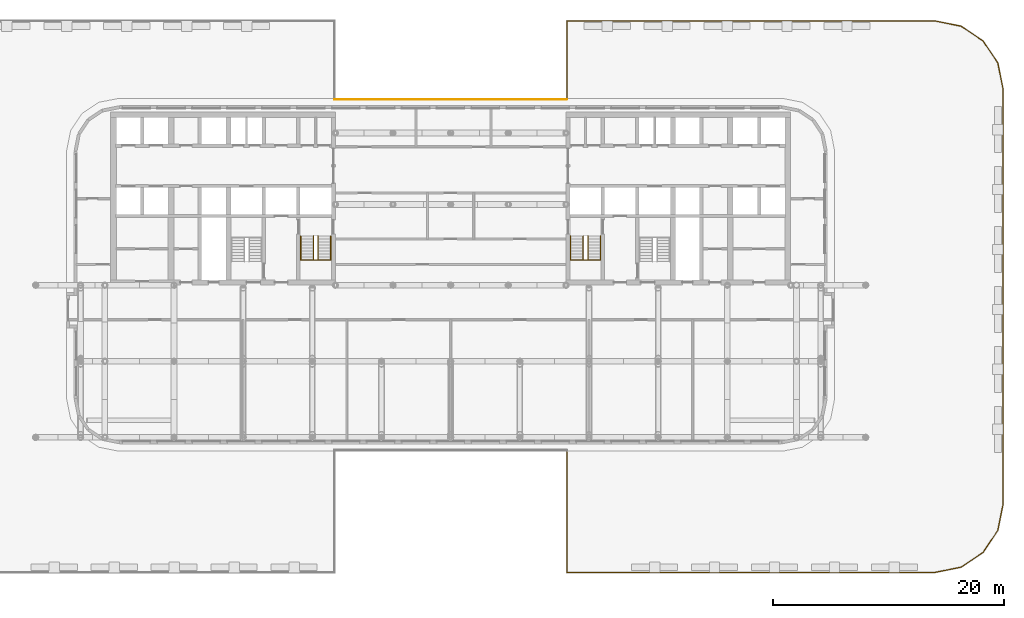
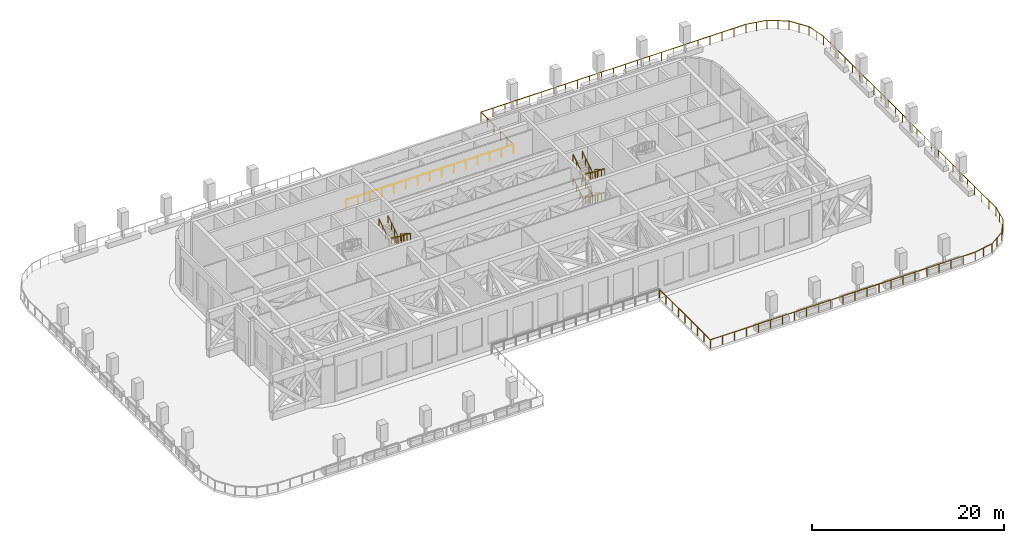
# One storey, part 18 of 20: 8 railings.
"""IFC4 building model written with IfcOpenShell, lengths in metres."""

from ifc_helpers import new_model, si_unit, direction, frame, origin, origin_2d, place, context, subcontext, project, spatial, circle, extrude, material, type_object, element, save


model = new_model("IFC4")

# Units and contexts
model_context = context("Model", 3, precision=1e-05, world=origin(), true_north=direction((0.0, 1.0)))
body_context = subcontext(model_context, "Body", "Model", "MODEL_VIEW")
ifc_project = project(units=[si_unit("LENGTHUNIT", "METRE"), si_unit("AREAUNIT", "SQUARE_METRE"), si_unit("VOLUMEUNIT", "CUBIC_METRE"), si_unit("PLANEANGLEUNIT", "RADIAN"), si_unit("MASSUNIT", "GRAM", prefix="KILO")], contexts=[model_context])

# Site, building, storey
site_placement = place(None, origin())
site = spatial("IfcSite", under=ifc_project, at=site_placement, CompositionType="ELEMENT")
building_placement = place(site_placement, origin())
building = spatial("IfcBuilding", under=site, at=building_placement, Name="Torana Hotel and Residences", CompositionType="ELEMENT")
storey_placement = place(building_placement, frame((0.0, 0.0, 18.0)))
storey = spatial("IfcBuildingStorey", under=building, at=storey_placement, Name="L03", CompositionType="ELEMENT", Elevation=18.0)

# Railings
ifc_material_1 = material(Name="Laminated glass balustrade with black handrail", Category="glass")
railing_type_1 = type_object("IfcRailingType", Name="GR1 BALCONY GUARD 1100 GLASS", PredefinedType="GUARDRAIL", material=ifc_material_1)
railing_1_placement = place(storey_placement, frame((10.080078125, 1.12109375, 0.0)))
element("IfcRailing", 1, at=railing_1_placement, inside=storey, type_object=railing_type_1, Name="Terrace guard L03 2", PredefinedType="GUARDRAIL", context=body_context, shape_type="SweptSolid", body=[
    extrude(circle(Radius=0.02392578125, at=origin_2d()), frame((0.0, 0.0, 1.076171875), z_axis=(0.0, 1.0, 0.0), x_axis=(-1.0, 0.0, 0.0)), (0.0, 0.0, 1.0), 6.798828125),
    extrude(circle(Radius=0.02392578125, at=origin_2d()), frame((0.0, 6.798828125, 1.076171875), z_axis=(1.0, 0.0, 0.0), x_axis=(0.0, 1.0, 0.0)), (0.0, 0.0, 1.0), 31.912109375),
    extrude(circle(Radius=0.02392578125, at=origin_2d()), frame((31.912109375, 6.798828125, 1.076171875), z_axis=(0.980798890488, -0.195021887023, 0.0), x_axis=(0.195021887023, 0.980798890488, 0.0)), (0.0, 0.0, 1.0), 2.317138671875),
    extrude(circle(Radius=0.02392578125, at=origin_2d()), frame((34.184814453125, 6.346923828125, 1.076171875), z_axis=(0.831399124079, -0.555675711617, 0.0), x_axis=(0.555675711617, 0.831399124079, 0.0)), (0.0, 0.0, 1.0), 2.309326171875),
    extrude(circle(Radius=0.02392578125, at=origin_2d()), frame((36.104736328125, 5.063720703125, 1.076171875), z_axis=(0.555675711617, -0.831399124079, 0.0), x_axis=(0.831399124079, 0.555675711617, 0.0)), (0.0, 0.0, 1.0), 2.309326171875),
    extrude(circle(Radius=0.02392578125, at=origin_2d()), frame((37.387939453125, 3.143798828125, 1.076171875), z_axis=(0.195021887023, -0.980798890488, 0.0), x_axis=(0.980798890488, 0.195021887023, 0.0)), (0.0, 0.0, 1.0), 2.317138671875),
    extrude(circle(Radius=0.02392578125, at=origin_2d()), frame((37.83984375, 0.87109375, 1.076171875), z_axis=(0.0, -1.0, 0.0), x_axis=(1.0, 0.0, 0.0)), (0.0, 0.0, 1.0), 35.984375),
    extrude(circle(Radius=0.02392578125, at=origin_2d()), frame((37.83984375, -35.11328125, 1.076171875), z_axis=(-0.195021887023, -0.980798890488, 0.0), x_axis=(0.980798890488, -0.195021887023, 0.0)), (0.0, 0.0, 1.0), 2.317138671875),
    extrude(circle(Radius=0.02392578125, at=origin_2d()), frame((37.387939453125, -37.385986328125, 1.076171875), z_axis=(-0.555675711617, -0.831399124079, 0.0), x_axis=(0.831399124079, -0.555675711617, 0.0)), (0.0, 0.0, 1.0), 2.309326171875),
    extrude(circle(Radius=0.02392578125, at=origin_2d()), frame((36.104736328125, -39.305908203125, 1.076171875), z_axis=(-0.831399124079, -0.555675711617, 0.0), x_axis=(0.555675711617, -0.831399124079, 0.0)), (0.0, 0.0, 1.0), 2.309326171875),
    extrude(circle(Radius=0.02392578125, at=origin_2d()), frame((34.184814453125, -40.589111328125, 1.076171875), z_axis=(-0.980798890488, -0.195021887023, 0.0), x_axis=(0.195021887023, -0.980798890488, 0.0)), (0.0, 0.0, 1.0), 2.317138671875),
    extrude(circle(Radius=0.02392578125, at=origin_2d()), frame((31.912109375, -41.041015625, 1.076171875), z_axis=(-1.0, 0.0, 0.0), x_axis=(0.0, -1.0, 0.0)), (0.0, 0.0, 1.0), 31.912109375),
    extrude(circle(Radius=0.02392578125, at=origin_2d()), frame((0.0, -41.041015625, 1.076171875), z_axis=(0.0, 1.0, 0.0), x_axis=(-1.0, 0.0, 0.0)), (0.0, 0.0, 1.0), 10.598876953125),
    extrude(circle(Radius=0.02099609375, at=origin_2d()), origin(), (0.0, 0.0, 1.0), 1.052001953125),
    extrude(circle(Radius=0.02099609375, at=origin_2d()), frame((0.0, 1.35986328125, 0.0)), (0.0, 0.0, 1.0), 1.052001953125),
    extrude(circle(Radius=0.02099609375, at=origin_2d()), frame((0.0, 2.719482421875, 0.0)), (0.0, 0.0, 1.0), 1.052001953125),
    extrude(circle(Radius=0.02099609375, at=origin_2d()), frame((0.0, 4.079345703125, 0.0)), (0.0, 0.0, 1.0), 1.052001953125),
    extrude(circle(Radius=0.02099609375, at=origin_2d()), frame((0.0, 5.43896484375, 0.0)), (0.0, 0.0, 1.0), 1.052001953125),
    extrude(circle(Radius=0.02099609375, at=origin_2d()), frame((0.0, 6.798828125, 0.0)), (0.0, 0.0, 1.0), 1.052001953125),
    extrude(circle(Radius=0.02099609375, at=origin_2d()), frame((1.450439453125, 6.798828125, 0.0)), (0.0, 0.0, 1.0), 1.052001953125),
    extrude(circle(Radius=0.02099609375, at=origin_2d()), frame((2.901123046875, 6.798828125, 0.0)), (0.0, 0.0, 1.0), 1.052001953125),
    extrude(circle(Radius=0.02099609375, at=origin_2d()), frame((4.3515625, 6.798828125, 0.0)), (0.0, 0.0, 1.0), 1.052001953125),
    extrude(circle(Radius=0.02099609375, at=origin_2d()), frame((5.80224609375, 6.798828125, 0.0)), (0.0, 0.0, 1.0), 1.052001953125),
    extrude(circle(Radius=0.02099609375, at=origin_2d()), frame((7.252685546875, 6.798828125, 0.0)), (0.0, 0.0, 1.0), 1.052001953125),
    extrude(circle(Radius=0.02099609375, at=origin_2d()), frame((8.703369140625, 6.798828125, 0.0)), (0.0, 0.0, 1.0), 1.052001953125),
    extrude(circle(Radius=0.02099609375, at=origin_2d()), frame((10.15380859375, 6.798828125, 0.0)), (0.0, 0.0, 1.0), 1.052001953125),
    extrude(circle(Radius=0.02099609375, at=origin_2d()), frame((11.6044921875, 6.798828125, 0.0)), (0.0, 0.0, 1.0), 1.052001953125),
    extrude(circle(Radius=0.02099609375, at=origin_2d()), frame((13.054931640625, 6.798828125, 0.0)), (0.0, 0.0, 1.0), 1.052001953125),
    extrude(circle(Radius=0.02099609375, at=origin_2d()), frame((14.505615234375, 6.798828125, 0.0)), (0.0, 0.0, 1.0), 1.052001953125),
    extrude(circle(Radius=0.02099609375, at=origin_2d()), frame((15.9560546875, 6.798828125, 0.0)), (0.0, 0.0, 1.0), 1.052001953125),
    extrude(circle(Radius=0.02099609375, at=origin_2d()), frame((17.406494140625, 6.798828125, 0.0)), (0.0, 0.0, 1.0), 1.052001953125),
    extrude(circle(Radius=0.02099609375, at=origin_2d()), frame((18.857177734375, 6.798828125, 0.0)), (0.0, 0.0, 1.0), 1.052001953125),
    extrude(circle(Radius=0.02099609375, at=origin_2d()), frame((20.3076171875, 6.798828125, 0.0)), (0.0, 0.0, 1.0), 1.052001953125),
    extrude(circle(Radius=0.02099609375, at=origin_2d()), frame((21.75830078125, 6.798828125, 0.0)), (0.0, 0.0, 1.0), 1.052001953125),
    extrude(circle(Radius=0.02099609375, at=origin_2d()), frame((23.208740234375, 6.798828125, 0.0)), (0.0, 0.0, 1.0), 1.052001953125),
    extrude(circle(Radius=0.02099609375, at=origin_2d()), frame((24.659423828125, 6.798828125, 0.0)), (0.0, 0.0, 1.0), 1.052001953125),
    extrude(circle(Radius=0.02099609375, at=origin_2d()), frame((26.10986328125, 6.798828125, 0.0)), (0.0, 0.0, 1.0), 1.052001953125),
    extrude(circle(Radius=0.02099609375, at=origin_2d()), frame((27.560546875, 6.798828125, 0.0)), (0.0, 0.0, 1.0), 1.052001953125),
    extrude(circle(Radius=0.02099609375, at=origin_2d()), frame((29.010986328125, 6.798828125, 0.0)), (0.0, 0.0, 1.0), 1.052001953125),
    extrude(circle(Radius=0.02099609375, at=origin_2d()), frame((30.461669921875, 6.798828125, 0.0)), (0.0, 0.0, 1.0), 1.052001953125),
    extrude(circle(Radius=0.02099609375, at=origin_2d()), frame((31.912109375, 6.798828125, 0.0)), (0.0, 0.0, 1.0), 1.052001953125),
    extrude(circle(Radius=0.02099609375, at=origin_2d()), frame((33.04833984375, 6.57275390625, 0.0)), (0.0, 0.0, 1.0), 1.052001953125),
    extrude(circle(Radius=0.02099609375, at=origin_2d()), frame((34.184814453125, 6.346923828125, 0.0)), (0.0, 0.0, 1.0), 1.052001953125),
    extrude(circle(Radius=0.02099609375, at=origin_2d()), frame((35.144775390625, 5.705322265625, 0.0)), (0.0, 0.0, 1.0), 1.052001953125),
    extrude(circle(Radius=0.02099609375, at=origin_2d()), frame((36.104736328125, 5.063720703125, 0.0)), (0.0, 0.0, 1.0), 1.052001953125),
    extrude(circle(Radius=0.02099609375, at=origin_2d()), frame((36.746337890625, 4.103759765625, 0.0)), (0.0, 0.0, 1.0), 1.052001953125),
    extrude(circle(Radius=0.02099609375, at=origin_2d()), frame((37.387939453125, 3.143798828125, 0.0)), (0.0, 0.0, 1.0), 1.052001953125),
    extrude(circle(Radius=0.02099609375, at=origin_2d()), frame((37.61376953125, 2.00732421875, 0.0)), (0.0, 0.0, 1.0), 1.052001953125),
    extrude(circle(Radius=0.02099609375, at=origin_2d()), frame((37.83984375, 0.87109375, 0.0)), (0.0, 0.0, 1.0), 1.052001953125),
    extrude(circle(Radius=0.02099609375, at=origin_2d()), frame((37.83984375, -0.628173828125, 0.0)), (0.0, 0.0, 1.0), 1.052001953125),
    extrude(circle(Radius=0.02099609375, at=origin_2d()), frame((37.83984375, -2.127685546875, 0.0)), (0.0, 0.0, 1.0), 1.052001953125),
    extrude(circle(Radius=0.02099609375, at=origin_2d()), frame((37.83984375, -3.626953125, 0.0)), (0.0, 0.0, 1.0), 1.052001953125),
    extrude(circle(Radius=0.02099609375, at=origin_2d()), frame((37.83984375, -5.126220703125, 0.0)), (0.0, 0.0, 1.0), 1.052001953125),
    extrude(circle(Radius=0.02099609375, at=origin_2d()), frame((37.83984375, -6.625732421875, 0.0)), (0.0, 0.0, 1.0), 1.052001953125),
    extrude(circle(Radius=0.02099609375, at=origin_2d()), frame((37.83984375, -8.125, 0.0)), (0.0, 0.0, 1.0), 1.052001953125),
    extrude(circle(Radius=0.02099609375, at=origin_2d()), frame((37.83984375, -9.624267578125, 0.0)), (0.0, 0.0, 1.0), 1.052001953125),
    extrude(circle(Radius=0.02099609375, at=origin_2d()), frame((37.83984375, -11.123779296875, 0.0)), (0.0, 0.0, 1.0), 1.052001953125),
    extrude(circle(Radius=0.02099609375, at=origin_2d()), frame((37.83984375, -12.623046875, 0.0)), (0.0, 0.0, 1.0), 1.052001953125),
    extrude(circle(Radius=0.02099609375, at=origin_2d()), frame((37.83984375, -14.122314453125, 0.0)), (0.0, 0.0, 1.0), 1.052001953125),
    extrude(circle(Radius=0.02099609375, at=origin_2d()), frame((37.83984375, -15.621826171875, 0.0)), (0.0, 0.0, 1.0), 1.052001953125),
    extrude(circle(Radius=0.02099609375, at=origin_2d()), frame((37.83984375, -17.12109375, 0.0)), (0.0, 0.0, 1.0), 1.052001953125),
    extrude(circle(Radius=0.02099609375, at=origin_2d()), frame((37.83984375, -18.620361328125, 0.0)), (0.0, 0.0, 1.0), 1.052001953125),
    extrude(circle(Radius=0.02099609375, at=origin_2d()), frame((37.83984375, -20.119873046875, 0.0)), (0.0, 0.0, 1.0), 1.052001953125),
    extrude(circle(Radius=0.02099609375, at=origin_2d()), frame((37.83984375, -21.619140625, 0.0)), (0.0, 0.0, 1.0), 1.052001953125),
    extrude(circle(Radius=0.02099609375, at=origin_2d()), frame((37.83984375, -23.118408203125, 0.0)), (0.0, 0.0, 1.0), 1.052001953125),
    extrude(circle(Radius=0.02099609375, at=origin_2d()), frame((37.83984375, -24.617919921875, 0.0)), (0.0, 0.0, 1.0), 1.052001953125),
    extrude(circle(Radius=0.02099609375, at=origin_2d()), frame((37.83984375, -26.1171875, 0.0)), (0.0, 0.0, 1.0), 1.052001953125),
    extrude(circle(Radius=0.02099609375, at=origin_2d()), frame((37.83984375, -27.616455078125, 0.0)), (0.0, 0.0, 1.0), 1.052001953125),
    extrude(circle(Radius=0.02099609375, at=origin_2d()), frame((37.83984375, -29.115966796875, 0.0)), (0.0, 0.0, 1.0), 1.052001953125),
    extrude(circle(Radius=0.02099609375, at=origin_2d()), frame((37.83984375, -30.615234375, 0.0)), (0.0, 0.0, 1.0), 1.052001953125),
    extrude(circle(Radius=0.02099609375, at=origin_2d()), frame((37.83984375, -32.114501953125, 0.0)), (0.0, 0.0, 1.0), 1.052001953125),
    extrude(circle(Radius=0.02099609375, at=origin_2d()), frame((37.83984375, -33.614013671875, 0.0)), (0.0, 0.0, 1.0), 1.052001953125),
    extrude(circle(Radius=0.02099609375, at=origin_2d()), frame((37.83984375, -35.11328125, 0.0)), (0.0, 0.0, 1.0), 1.052001953125),
    extrude(circle(Radius=0.02099609375, at=origin_2d()), frame((37.61376953125, -36.24951171875, 0.0)), (0.0, 0.0, 1.0), 1.052001953125),
    extrude(circle(Radius=0.02099609375, at=origin_2d()), frame((37.387939453125, -37.385986328125, 0.0)), (0.0, 0.0, 1.0), 1.052001953125),
    extrude(circle(Radius=0.02099609375, at=origin_2d()), frame((36.746337890625, -38.345947265625, 0.0)), (0.0, 0.0, 1.0), 1.052001953125),
    extrude(circle(Radius=0.02099609375, at=origin_2d()), frame((36.104736328125, -39.305908203125, 0.0)), (0.0, 0.0, 1.0), 1.052001953125),
    extrude(circle(Radius=0.02099609375, at=origin_2d()), frame((35.144775390625, -39.947509765625, 0.0)), (0.0, 0.0, 1.0), 1.052001953125),
    extrude(circle(Radius=0.02099609375, at=origin_2d()), frame((34.184814453125, -40.589111328125, 0.0)), (0.0, 0.0, 1.0), 1.052001953125),
    extrude(circle(Radius=0.02099609375, at=origin_2d()), frame((33.04833984375, -40.81494140625, 0.0)), (0.0, 0.0, 1.0), 1.052001953125),
    extrude(circle(Radius=0.02099609375, at=origin_2d()), frame((31.912109375, -41.041015625, 0.0)), (0.0, 0.0, 1.0), 1.052001953125),
    extrude(circle(Radius=0.02099609375, at=origin_2d()), frame((30.461669921875, -41.041015625, 0.0)), (0.0, 0.0, 1.0), 1.052001953125),
    extrude(circle(Radius=0.02099609375, at=origin_2d()), frame((29.010986328125, -41.041015625, 0.0)), (0.0, 0.0, 1.0), 1.052001953125),
    extrude(circle(Radius=0.02099609375, at=origin_2d()), frame((27.560546875, -41.041015625, 0.0)), (0.0, 0.0, 1.0), 1.052001953125),
    extrude(circle(Radius=0.02099609375, at=origin_2d()), frame((26.10986328125, -41.041015625, 0.0)), (0.0, 0.0, 1.0), 1.052001953125),
    extrude(circle(Radius=0.02099609375, at=origin_2d()), frame((24.659423828125, -41.041015625, 0.0)), (0.0, 0.0, 1.0), 1.052001953125),
    extrude(circle(Radius=0.02099609375, at=origin_2d()), frame((23.208740234375, -41.041015625, 0.0)), (0.0, 0.0, 1.0), 1.052001953125),
    extrude(circle(Radius=0.02099609375, at=origin_2d()), frame((21.75830078125, -41.041015625, 0.0)), (0.0, 0.0, 1.0), 1.052001953125),
    extrude(circle(Radius=0.02099609375, at=origin_2d()), frame((20.3076171875, -41.041015625, 0.0)), (0.0, 0.0, 1.0), 1.052001953125),
    extrude(circle(Radius=0.02099609375, at=origin_2d()), frame((18.857177734375, -41.041015625, 0.0)), (0.0, 0.0, 1.0), 1.052001953125),
    extrude(circle(Radius=0.02099609375, at=origin_2d()), frame((17.406494140625, -41.041015625, 0.0)), (0.0, 0.0, 1.0), 1.052001953125),
    extrude(circle(Radius=0.02099609375, at=origin_2d()), frame((15.9560546875, -41.041015625, 0.0)), (0.0, 0.0, 1.0), 1.052001953125),
    extrude(circle(Radius=0.02099609375, at=origin_2d()), frame((14.505615234375, -41.041015625, 0.0)), (0.0, 0.0, 1.0), 1.052001953125),
    extrude(circle(Radius=0.02099609375, at=origin_2d()), frame((13.054931640625, -41.041015625, 0.0)), (0.0, 0.0, 1.0), 1.052001953125),
    extrude(circle(Radius=0.02099609375, at=origin_2d()), frame((11.6044921875, -41.041015625, 0.0)), (0.0, 0.0, 1.0), 1.052001953125),
    extrude(circle(Radius=0.02099609375, at=origin_2d()), frame((10.15380859375, -41.041015625, 0.0)), (0.0, 0.0, 1.0), 1.052001953125),
    extrude(circle(Radius=0.02099609375, at=origin_2d()), frame((8.703369140625, -41.041015625, 0.0)), (0.0, 0.0, 1.0), 1.052001953125),
    extrude(circle(Radius=0.02099609375, at=origin_2d()), frame((7.252685546875, -41.041015625, 0.0)), (0.0, 0.0, 1.0), 1.052001953125),
    extrude(circle(Radius=0.02099609375, at=origin_2d()), frame((5.80224609375, -41.041015625, 0.0)), (0.0, 0.0, 1.0), 1.052001953125),
    extrude(circle(Radius=0.02099609375, at=origin_2d()), frame((4.3515625, -41.041015625, 0.0)), (0.0, 0.0, 1.0), 1.052001953125),
    extrude(circle(Radius=0.02099609375, at=origin_2d()), frame((2.901123046875, -41.041015625, 0.0)), (0.0, 0.0, 1.0), 1.052001953125),
    extrude(circle(Radius=0.02099609375, at=origin_2d()), frame((1.450439453125, -41.041015625, 0.0)), (0.0, 0.0, 1.0), 1.052001953125),
    extrude(circle(Radius=0.02099609375, at=origin_2d()), frame((0.0, -41.041015625, 0.0)), (0.0, 0.0, 1.0), 1.052001953125),
    extrude(circle(Radius=0.02099609375, at=origin_2d()), frame((0.0, -39.716064453125, 0.0)), (0.0, 0.0, 1.0), 1.052001953125),
    extrude(circle(Radius=0.02099609375, at=origin_2d()), frame((0.0, -38.391357421875, 0.0)), (0.0, 0.0, 1.0), 1.052001953125),
    extrude(circle(Radius=0.02099609375, at=origin_2d()), frame((0.0, -37.06640625, 0.0)), (0.0, 0.0, 1.0), 1.052001953125),
    extrude(circle(Radius=0.02099609375, at=origin_2d()), frame((0.0, -35.74169921875, 0.0)), (0.0, 0.0, 1.0), 1.052001953125),
    extrude(circle(Radius=0.02099609375, at=origin_2d()), frame((0.0, -34.416748046875, 0.0)), (0.0, 0.0, 1.0), 1.052001953125),
    extrude(circle(Radius=0.02099609375, at=origin_2d()), frame((0.0, -33.091796875, 0.0)), (0.0, 0.0, 1.0), 1.052001953125),
    extrude(circle(Radius=0.02099609375, at=origin_2d()), frame((0.0, -31.76708984375, 0.0)), (0.0, 0.0, 1.0), 1.052001953125),
    extrude(circle(Radius=0.02099609375, at=origin_2d()), frame((0.0, -30.442138671875, 0.0)), (0.0, 0.0, 1.0), 1.052001953125),
])
railing_2_placement = place(storey_placement, frame((-10.080078125, 1.12109375, 0.0)))
element("IfcRailing", 2, at=railing_2_placement, inside=storey, type_object=railing_type_1, Name="Ledge guard L03 1", PredefinedType="GUARDRAIL", context=body_context, shape_type="SweptSolid", body=[
    extrude(circle(Radius=0.02392578125, at=origin_2d()), frame((0.0, 0.0, 1.076171875), z_axis=(1.0, 0.0, 0.0), x_axis=(0.0, 1.0, 0.0)), (0.0, 0.0, 1.0), 20.16015625),
    extrude(circle(Radius=0.02099609375, at=origin_2d()), origin(), (0.0, 0.0, 1.0), 1.052001953125),
    extrude(circle(Radius=0.02099609375, at=origin_2d()), frame((1.43994140625, 0.0, 0.0)), (0.0, 0.0, 1.0), 1.052001953125),
    extrude(circle(Radius=0.02099609375, at=origin_2d()), frame((2.880126953125, 0.0, 0.0)), (0.0, 0.0, 1.0), 1.052001953125),
    extrude(circle(Radius=0.02099609375, at=origin_2d()), frame((4.320068359375, 0.0, 0.0)), (0.0, 0.0, 1.0), 1.052001953125),
    extrude(circle(Radius=0.02099609375, at=origin_2d()), frame((5.760009765625, 0.0, 0.0)), (0.0, 0.0, 1.0), 1.052001953125),
    extrude(circle(Radius=0.02099609375, at=origin_2d()), frame((7.199951171875, 0.0, 0.0)), (0.0, 0.0, 1.0), 1.052001953125),
    extrude(circle(Radius=0.02099609375, at=origin_2d()), frame((8.64013671875, 0.0, 0.0)), (0.0, 0.0, 1.0), 1.052001953125),
    extrude(circle(Radius=0.02099609375, at=origin_2d()), frame((10.080078125, 0.0, 0.0)), (0.0, 0.0, 1.0), 1.052001953125),
    extrude(circle(Radius=0.02099609375, at=origin_2d()), frame((11.52001953125, 0.0, 0.0)), (0.0, 0.0, 1.0), 1.052001953125),
    extrude(circle(Radius=0.02099609375, at=origin_2d()), frame((12.960205078125, 0.0, 0.0)), (0.0, 0.0, 1.0), 1.052001953125),
    extrude(circle(Radius=0.02099609375, at=origin_2d()), frame((14.400146484375, 0.0, 0.0)), (0.0, 0.0, 1.0), 1.052001953125),
    extrude(circle(Radius=0.02099609375, at=origin_2d()), frame((15.840087890625, 0.0, 0.0)), (0.0, 0.0, 1.0), 1.052001953125),
    extrude(circle(Radius=0.02099609375, at=origin_2d()), frame((17.280029296875, 0.0, 0.0)), (0.0, 0.0, 1.0), 1.052001953125),
    extrude(circle(Radius=0.02099609375, at=origin_2d()), frame((18.72021484375, 0.0, 0.0)), (0.0, 0.0, 1.0), 1.052001953125),
    extrude(circle(Radius=0.02099609375, at=origin_2d()), frame((20.16015625, 0.0, 0.0)), (0.0, 0.0, 1.0), 1.052001953125),
])
ifc_material_2 = material(Name="Stainless steel 316", Category="steel")
railing_type_2 = type_object("IfcRailingType", Name="STAIR HANDRAIL HR1 900", PredefinedType="HANDRAIL", material=ifc_material_2)
railing_3_placement = place(storey_placement, frame((-10.39990234375, -10.75, 3.166748046875)))
element("IfcRailing", 3, at=railing_3_placement, inside=storey, type_object=railing_type_2, Name="Handrail ST1 L03 O2", PredefinedType="HANDRAIL", context=body_context, shape_type="SweptSolid", body=[
    extrude(circle(Radius=0.02392578125, at=origin_2d()), frame((0.0, 0.0, 0.8759765625), z_axis=(0.0, -0.841903312325, 0.539628402418), x_axis=(1.0, 0.0, 0.0)), (0.0, 0.0, 1.0), 2.470703125),
    extrude(circle(Radius=0.02392578125, at=origin_2d()), frame((0.0, -2.080078125, 2.208984375), z_axis=(-0.997949899857, 0.0, 0.063999979493), x_axis=(0.0, -1.0, 0.0)), (0.0, 0.0, 1.0), 2.60546875),
    extrude(circle(Radius=0.02392578125, at=origin_2d()), frame((-2.60009765625, -2.080078125, 2.3759765625), z_axis=(0.0, 0.841903312325, 0.539628402418), x_axis=(-1.0, 0.0, 0.0)), (0.0, 0.0, 1.0), 2.470703125),
    extrude(circle(Radius=0.02099609375, at=origin_2d()), origin(), (0.0, 0.0, 1.0), 0.851806640625),
    extrude(circle(Radius=0.02099609375, at=origin_2d()), frame((0.0, -0.693359375, 0.4443359375)), (0.0, 0.0, 1.0), 0.851806640625),
    extrude(circle(Radius=0.02099609375, at=origin_2d()), frame((0.0, -1.38671875, 0.888916015625)), (0.0, 0.0, 1.0), 0.851806640625),
    extrude(circle(Radius=0.02099609375, at=origin_2d()), frame((0.0, -2.080078125, 1.333251953125)), (0.0, 0.0, 1.0), 0.851806640625),
    extrude(circle(Radius=0.02099609375, at=origin_2d()), frame((-0.86669921875, -2.080078125, 1.388916015625)), (0.0, 0.0, 1.0), 0.851806640625),
    extrude(circle(Radius=0.02099609375, at=origin_2d()), frame((-1.7333984375, -2.080078125, 1.4443359375)), (0.0, 0.0, 1.0), 0.851806640625),
    extrude(circle(Radius=0.02099609375, at=origin_2d()), frame((-2.60009765625, -2.080078125, 1.5)), (0.0, 0.0, 1.0), 0.851806640625),
    extrude(circle(Radius=0.02099609375, at=origin_2d()), frame((-2.60009765625, -1.38671875, 1.9443359375)), (0.0, 0.0, 1.0), 0.851806640625),
    extrude(circle(Radius=0.02099609375, at=origin_2d()), frame((-2.60009765625, -0.693359375, 2.388916015625)), (0.0, 0.0, 1.0), 0.851806640625),
    extrude(circle(Radius=0.02099609375, at=origin_2d()), frame((-2.60009765625, 0.0, 2.833251953125)), (0.0, 0.0, 1.0), 0.851806640625),
])
railing_4_placement = place(storey_placement, frame((-11.5, -10.75, 3.166748046875)))
element("IfcRailing", 4, at=railing_4_placement, inside=storey, type_object=railing_type_2, Name="Handrail ST1 L03 I2", PredefinedType="HANDRAIL", context=body_context, shape_type="SweptSolid", body=[
    extrude(circle(Radius=0.02392578125, at=origin_2d()), frame((0.0, 0.0, 0.8759765625), z_axis=(0.0, -0.841903312325, 0.539628402418), x_axis=(1.0, 0.0, 0.0)), (0.0, 0.0, 1.0), 2.470703125),
    extrude(circle(Radius=0.02392578125, at=origin_2d()), frame((0.0, -2.080078125, 2.208984375), z_axis=(-0.922976866191, 0.0, 0.384855433216), x_axis=(0.0, -1.0, 0.0)), (0.0, 0.0, 1.0), 0.433349609375),
    extrude(circle(Radius=0.02392578125, at=origin_2d()), frame((-0.39990234375, -2.080078125, 2.3759765625), z_axis=(0.0, 0.841903312325, 0.539628402418), x_axis=(-1.0, 0.0, 0.0)), (0.0, 0.0, 1.0), 2.470703125),
    extrude(circle(Radius=0.02099609375, at=origin_2d()), origin(), (0.0, 0.0, 1.0), 0.851806640625),
    extrude(circle(Radius=0.02099609375, at=origin_2d()), frame((0.0, -0.693359375, 0.4443359375)), (0.0, 0.0, 1.0), 0.851806640625),
    extrude(circle(Radius=0.02099609375, at=origin_2d()), frame((0.0, -1.38671875, 0.888916015625)), (0.0, 0.0, 1.0), 0.851806640625),
    extrude(circle(Radius=0.02099609375, at=origin_2d()), frame((0.0, -2.080078125, 1.333251953125)), (0.0, 0.0, 1.0), 0.851806640625),
    extrude(circle(Radius=0.02099609375, at=origin_2d()), frame((-0.39990234375, -2.080078125, 1.5)), (0.0, 0.0, 1.0), 0.851806640625),
    extrude(circle(Radius=0.02099609375, at=origin_2d()), frame((-0.39990234375, -1.38671875, 1.9443359375)), (0.0, 0.0, 1.0), 0.851806640625),
    extrude(circle(Radius=0.02099609375, at=origin_2d()), frame((-0.39990234375, -0.693359375, 2.388916015625)), (0.0, 0.0, 1.0), 0.851806640625),
    extrude(circle(Radius=0.02099609375, at=origin_2d()), frame((-0.39990234375, 0.0, 2.833251953125)), (0.0, 0.0, 1.0), 0.851806640625),
])
railing_5_placement = place(storey_placement, frame((13.0, -10.75, 0.166748046875)))
element("IfcRailing", 5, at=railing_5_placement, inside=storey, type_object=railing_type_2, Name="Handrail ST3 L03 O1", PredefinedType="HANDRAIL", context=body_context, shape_type="SweptSolid", body=[
    extrude(circle(Radius=0.02392578125, at=origin_2d()), frame((0.0, 0.0, 0.8759765625), z_axis=(0.0, -0.841903312325, 0.539628402418), x_axis=(1.0, 0.0, 0.0)), (0.0, 0.0, 1.0), 2.470703125),
    extrude(circle(Radius=0.02392578125, at=origin_2d()), frame((0.0, -2.080078125, 2.208984375), z_axis=(-0.997949899857, 0.0, 0.063999979493), x_axis=(0.0, -1.0, 0.0)), (0.0, 0.0, 1.0), 2.60546875),
    extrude(circle(Radius=0.02392578125, at=origin_2d()), frame((-2.60009765625, -2.080078125, 2.3759765625), z_axis=(0.0, 0.841903312325, 0.539628402418), x_axis=(-1.0, 0.0, 0.0)), (0.0, 0.0, 1.0), 2.470703125),
    extrude(circle(Radius=0.02099609375, at=origin_2d()), origin(), (0.0, 0.0, 1.0), 0.851806640625),
    extrude(circle(Radius=0.02099609375, at=origin_2d()), frame((0.0, -0.693359375, 0.4443359375)), (0.0, 0.0, 1.0), 0.851806640625),
    extrude(circle(Radius=0.02099609375, at=origin_2d()), frame((0.0, -1.38671875, 0.888916015625)), (0.0, 0.0, 1.0), 0.851806640625),
    extrude(circle(Radius=0.02099609375, at=origin_2d()), frame((0.0, -2.080078125, 1.333251953125)), (0.0, 0.0, 1.0), 0.851806640625),
    extrude(circle(Radius=0.02099609375, at=origin_2d()), frame((-0.86669921875, -2.080078125, 1.388916015625)), (0.0, 0.0, 1.0), 0.851806640625),
    extrude(circle(Radius=0.02099609375, at=origin_2d()), frame((-1.7333984375, -2.080078125, 1.4443359375)), (0.0, 0.0, 1.0), 0.851806640625),
    extrude(circle(Radius=0.02099609375, at=origin_2d()), frame((-2.60009765625, -2.080078125, 1.5)), (0.0, 0.0, 1.0), 0.851806640625),
    extrude(circle(Radius=0.02099609375, at=origin_2d()), frame((-2.60009765625, -1.38671875, 1.9443359375)), (0.0, 0.0, 1.0), 0.851806640625),
    extrude(circle(Radius=0.02099609375, at=origin_2d()), frame((-2.60009765625, -0.693359375, 2.388916015625)), (0.0, 0.0, 1.0), 0.851806640625),
    extrude(circle(Radius=0.02099609375, at=origin_2d()), frame((-2.60009765625, 0.0, 2.833251953125)), (0.0, 0.0, 1.0), 0.851806640625),
])
railing_6_placement = place(storey_placement, frame((11.89990234375, -10.75, 0.166748046875)))
element("IfcRailing", 6, at=railing_6_placement, inside=storey, type_object=railing_type_2, Name="Handrail ST3 L03 I1", PredefinedType="HANDRAIL", context=body_context, shape_type="SweptSolid", body=[
    extrude(circle(Radius=0.02392578125, at=origin_2d()), frame((0.0, 0.0, 0.8759765625), z_axis=(0.0, -0.841903312325, 0.539628402418), x_axis=(1.0, 0.0, 0.0)), (0.0, 0.0, 1.0), 2.470703125),
    extrude(circle(Radius=0.02392578125, at=origin_2d()), frame((0.0, -2.080078125, 2.208984375), z_axis=(-0.922976866191, 0.0, 0.384855433216), x_axis=(0.0, -1.0, 0.0)), (0.0, 0.0, 1.0), 0.433349609375),
    extrude(circle(Radius=0.02392578125, at=origin_2d()), frame((-0.39990234375, -2.080078125, 2.3759765625), z_axis=(0.0, 0.841903312325, 0.539628402418), x_axis=(-1.0, 0.0, 0.0)), (0.0, 0.0, 1.0), 2.470703125),
    extrude(circle(Radius=0.02099609375, at=origin_2d()), origin(), (0.0, 0.0, 1.0), 0.851806640625),
    extrude(circle(Radius=0.02099609375, at=origin_2d()), frame((0.0, -0.693359375, 0.4443359375)), (0.0, 0.0, 1.0), 0.851806640625),
    extrude(circle(Radius=0.02099609375, at=origin_2d()), frame((0.0, -1.38671875, 0.888916015625)), (0.0, 0.0, 1.0), 0.851806640625),
    extrude(circle(Radius=0.02099609375, at=origin_2d()), frame((0.0, -2.080078125, 1.333251953125)), (0.0, 0.0, 1.0), 0.851806640625),
    extrude(circle(Radius=0.02099609375, at=origin_2d()), frame((-0.39990234375, -2.080078125, 1.5)), (0.0, 0.0, 1.0), 0.851806640625),
    extrude(circle(Radius=0.02099609375, at=origin_2d()), frame((-0.39990234375, -1.38671875, 1.9443359375)), (0.0, 0.0, 1.0), 0.851806640625),
    extrude(circle(Radius=0.02099609375, at=origin_2d()), frame((-0.39990234375, -0.693359375, 2.388916015625)), (0.0, 0.0, 1.0), 0.851806640625),
    extrude(circle(Radius=0.02099609375, at=origin_2d()), frame((-0.39990234375, 0.0, 2.833251953125)), (0.0, 0.0, 1.0), 0.851806640625),
])
railing_7_placement = place(storey_placement, frame((13.0, -10.75, 3.166748046875)))
element("IfcRailing", 7, at=railing_7_placement, inside=storey, type_object=railing_type_2, Name="Handrail ST3 L03 O2", PredefinedType="HANDRAIL", context=body_context, shape_type="SweptSolid", body=[
    extrude(circle(Radius=0.02392578125, at=origin_2d()), frame((0.0, 0.0, 0.8759765625), z_axis=(0.0, -0.841903312325, 0.539628402418), x_axis=(1.0, 0.0, 0.0)), (0.0, 0.0, 1.0), 2.470703125),
    extrude(circle(Radius=0.02392578125, at=origin_2d()), frame((0.0, -2.080078125, 2.208984375), z_axis=(-0.997949899857, 0.0, 0.063999979493), x_axis=(0.0, -1.0, 0.0)), (0.0, 0.0, 1.0), 2.60546875),
    extrude(circle(Radius=0.02392578125, at=origin_2d()), frame((-2.60009765625, -2.080078125, 2.3759765625), z_axis=(0.0, 0.841903312325, 0.539628402418), x_axis=(-1.0, 0.0, 0.0)), (0.0, 0.0, 1.0), 2.470703125),
    extrude(circle(Radius=0.02099609375, at=origin_2d()), origin(), (0.0, 0.0, 1.0), 0.851806640625),
    extrude(circle(Radius=0.02099609375, at=origin_2d()), frame((0.0, -0.693359375, 0.4443359375)), (0.0, 0.0, 1.0), 0.851806640625),
    extrude(circle(Radius=0.02099609375, at=origin_2d()), frame((0.0, -1.38671875, 0.888916015625)), (0.0, 0.0, 1.0), 0.851806640625),
    extrude(circle(Radius=0.02099609375, at=origin_2d()), frame((0.0, -2.080078125, 1.333251953125)), (0.0, 0.0, 1.0), 0.851806640625),
    extrude(circle(Radius=0.02099609375, at=origin_2d()), frame((-0.86669921875, -2.080078125, 1.388916015625)), (0.0, 0.0, 1.0), 0.851806640625),
    extrude(circle(Radius=0.02099609375, at=origin_2d()), frame((-1.7333984375, -2.080078125, 1.4443359375)), (0.0, 0.0, 1.0), 0.851806640625),
    extrude(circle(Radius=0.02099609375, at=origin_2d()), frame((-2.60009765625, -2.080078125, 1.5)), (0.0, 0.0, 1.0), 0.851806640625),
    extrude(circle(Radius=0.02099609375, at=origin_2d()), frame((-2.60009765625, -1.38671875, 1.9443359375)), (0.0, 0.0, 1.0), 0.851806640625),
    extrude(circle(Radius=0.02099609375, at=origin_2d()), frame((-2.60009765625, -0.693359375, 2.388916015625)), (0.0, 0.0, 1.0), 0.851806640625),
    extrude(circle(Radius=0.02099609375, at=origin_2d()), frame((-2.60009765625, 0.0, 2.833251953125)), (0.0, 0.0, 1.0), 0.851806640625),
])
railing_8_placement = place(storey_placement, frame((11.89990234375, -10.75, 3.166748046875)))
element("IfcRailing", 8, at=railing_8_placement, inside=storey, type_object=railing_type_2, Name="Handrail ST3 L03 I2", PredefinedType="HANDRAIL", context=body_context, shape_type="SweptSolid", body=[
    extrude(circle(Radius=0.02392578125, at=origin_2d()), frame((0.0, 0.0, 0.8759765625), z_axis=(0.0, -0.841903312325, 0.539628402418), x_axis=(1.0, 0.0, 0.0)), (0.0, 0.0, 1.0), 2.470703125),
    extrude(circle(Radius=0.02392578125, at=origin_2d()), frame((0.0, -2.080078125, 2.208984375), z_axis=(-0.922976866191, 0.0, 0.384855433216), x_axis=(0.0, -1.0, 0.0)), (0.0, 0.0, 1.0), 0.433349609375),
    extrude(circle(Radius=0.02392578125, at=origin_2d()), frame((-0.39990234375, -2.080078125, 2.3759765625), z_axis=(0.0, 0.841903312325, 0.539628402418), x_axis=(-1.0, 0.0, 0.0)), (0.0, 0.0, 1.0), 2.470703125),
    extrude(circle(Radius=0.02099609375, at=origin_2d()), origin(), (0.0, 0.0, 1.0), 0.851806640625),
    extrude(circle(Radius=0.02099609375, at=origin_2d()), frame((0.0, -0.693359375, 0.4443359375)), (0.0, 0.0, 1.0), 0.851806640625),
    extrude(circle(Radius=0.02099609375, at=origin_2d()), frame((0.0, -1.38671875, 0.888916015625)), (0.0, 0.0, 1.0), 0.851806640625),
    extrude(circle(Radius=0.02099609375, at=origin_2d()), frame((0.0, -2.080078125, 1.333251953125)), (0.0, 0.0, 1.0), 0.851806640625),
    extrude(circle(Radius=0.02099609375, at=origin_2d()), frame((-0.39990234375, -2.080078125, 1.5)), (0.0, 0.0, 1.0), 0.851806640625),
    extrude(circle(Radius=0.02099609375, at=origin_2d()), frame((-0.39990234375, -1.38671875, 1.9443359375)), (0.0, 0.0, 1.0), 0.851806640625),
    extrude(circle(Radius=0.02099609375, at=origin_2d()), frame((-0.39990234375, -0.693359375, 2.388916015625)), (0.0, 0.0, 1.0), 0.851806640625),
    extrude(circle(Radius=0.02099609375, at=origin_2d()), frame((-0.39990234375, 0.0, 2.833251953125)), (0.0, 0.0, 1.0), 0.851806640625),
])

save(model, "model.ifc")
